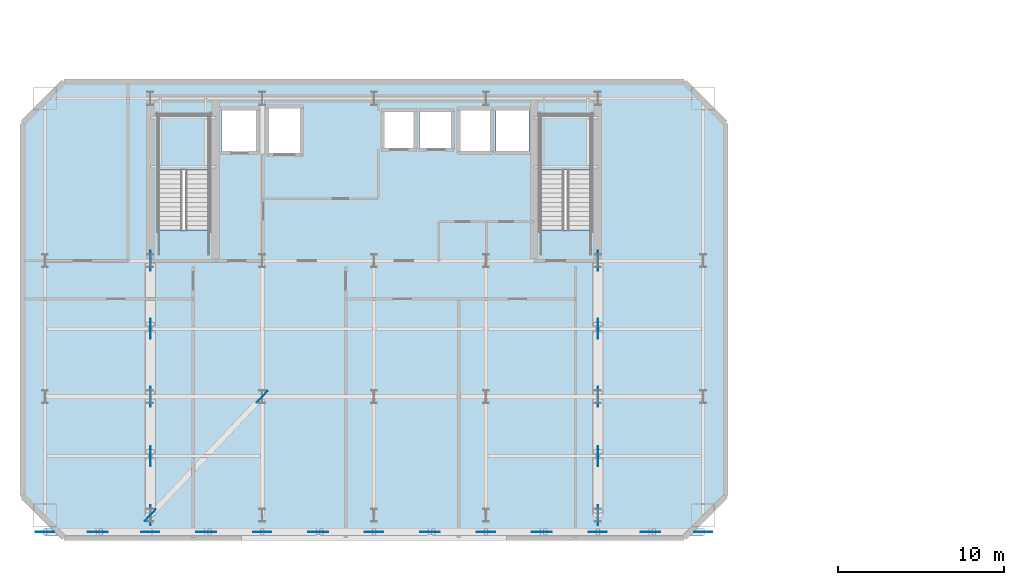
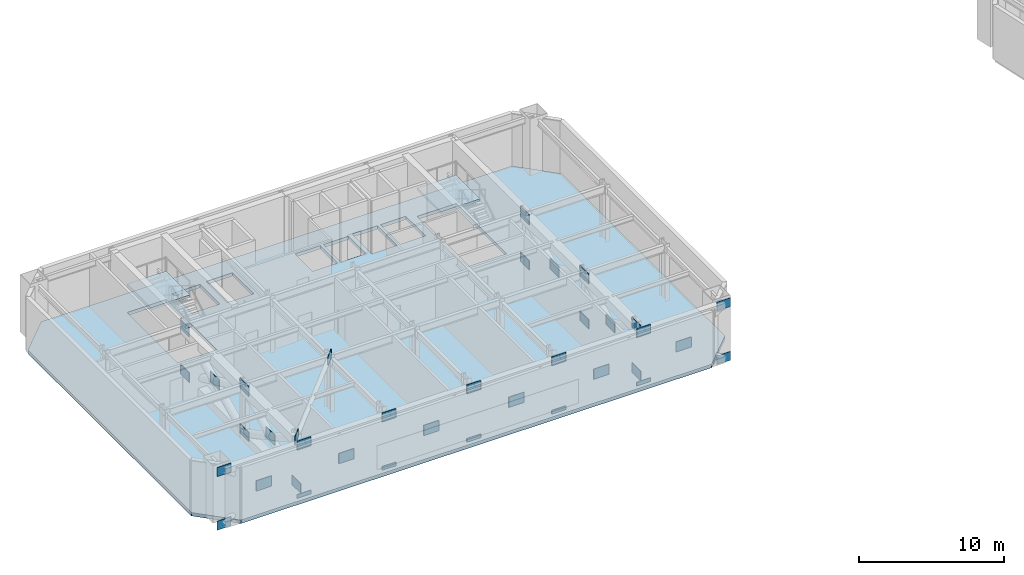
# One storey, part 6 of 15: 37 plates, 3 slabs, 2 elements without a shape of their own.
"""IFC4 building model written with IfcOpenShell, lengths in metres."""

from ifc_helpers import new_model, si_unit, direction, frame, origin, origin_2d, place, context, subcontext, project, spatial, polyline, rectangle, outline, extrude, material, layer, layer_set, type_object, element, aggregate, save


model = new_model("IFC4")

# Units and contexts
model_context = context("Model", 3, precision=1e-05, world=origin(), true_north=direction((0.0, 1.0)))
body_context = subcontext(model_context, "Body", "Model", "MODEL_VIEW")
ifc_project = project(units=[si_unit("LENGTHUNIT", "METRE"), si_unit("AREAUNIT", "SQUARE_METRE"), si_unit("VOLUMEUNIT", "CUBIC_METRE"), si_unit("PLANEANGLEUNIT", "RADIAN"), si_unit("MASSUNIT", "GRAM", prefix="KILO")], contexts=[model_context])

# Site, building, storey
site_placement = place(None, origin())
site = spatial("IfcSite", under=ifc_project, at=site_placement, CompositionType="ELEMENT")
building_placement = place(site_placement, origin())
building = spatial("IfcBuilding", under=site, at=building_placement, Name="Haevon Station Towers", CompositionType="ELEMENT")
storey_placement = place(building_placement, frame((0.0, 0.0, 138.0)))
storey = spatial("IfcBuildingStorey", under=building, at=storey_placement, Name="L37", CompositionType="ELEMENT", Elevation=138.0)

# Plates
ifc_material_1 = material(Name="PL-FLG2", Category="steel")
ifc_layer_1 = layer(ifc_material_1, 0.035888671875)
ifc_layer_set_1 = layer_set([ifc_layer_1], Name="PL-FLG2")
plate_type_1 = type_object("IfcPlateType", Name="PL-FLG2", PredefinedType="USERDEFINED", material=ifc_layer_set_1)
for number, where, z_axis, x_axis, name in (
    (1, (24.0, 22.85009765625, 4.0400390625), (0.0, 0.0, 1.0), (0.686474768632, 0.727153623405, 0.0), "PL-T1TIE-L37-E1"),
    (2, (30.75, 30.0, 4.0400390625), (0.0, 0.0, 1.0), (0.686474768632, 0.727153623405, 0.0), "PL-T1TIE-L37-E2"),
):
    element("IfcPlate", number, at=place(storey_placement, frame(where, z_axis=z_axis, x_axis=x_axis)), inside=storey, type_object=plate_type_1, Name=name, ObjectType="FLANGE_PLATE", PredefinedType="USERDEFINED", context=body_context, shape_type="SweptSolid", body=[
        extrude(rectangle(XDim=0.949951171875, YDim=0.035888671875, at=origin_2d()), origin(), (0.0, 0.0, 1.0), 0.699951171875),
    ])
ifc_material_2 = material(Name="PL-GUS2", Category="steel")
ifc_layer_2 = layer(ifc_material_2, 0.031982421875)
ifc_layer_set_2 = layer_set([ifc_layer_2], Name="PL-GUS2")
plate_type_2 = type_object("IfcPlateType", Name="PL-GUS2", PredefinedType="USERDEFINED", material=ifc_layer_set_2)
for number, where, z_axis, x_axis, name in (
    (3, (24.0, 26.425048828125, 1.849853515625), (0.0, 0.0, 1.0), (0.0, 1.0, 0.0), "PL-T1OUTX-L37-1-1"),
    (4, (24.0, 34.10009765625, 1.849853515625), (0.0, 0.0, 1.0), (0.0, 1.0, 0.0), "PL-T1OUTX-L37-1-2"),
    (5, (24.0, 22.85009765625, -0.074951171875), (0.0, 0.0, 1.0), (0.0, 1.0, 0.0), "PL-T1OUTGUS-L37-1-1B"),
    (6, (24.0, 30.0, -0.074951171875), (0.0, 0.0, 1.0), (0.0, 1.0, 0.0), "PL-T1OUTGUS-L37-1-2B"),
    (7, (24.0, 30.0, 3.77490234375), (0.0, 0.0, 1.0), (0.0, 1.0, 0.0), "PL-T1OUTGUS-L37-1-2T"),
    (8, (24.0, 38.199951171875, -0.074951171875), (0.0, 0.0, 1.0), (0.0, 1.0, 0.0), "PL-T1OUTGUS-L37-1-3B"),
    (9, (24.0, 38.199951171875, 3.77490234375), (0.0, 0.0, 1.0), (0.0, 1.0, 0.0), "PL-T1OUTGUS-L37-1-3T"),
    (10, (51.0, 26.425048828125, 1.849853515625), (0.0, 0.0, 1.0), (0.0, 1.0, 0.0), "PL-T1OUTX-L37-2-1"),
    (11, (51.0, 34.10009765625, 1.849853515625), (0.0, 0.0, 1.0), (0.0, 1.0, 0.0), "PL-T1OUTX-L37-2-2"),
    (12, (51.0, 22.85009765625, -0.074951171875), (0.0, 0.0, 1.0), (0.0, 1.0, 0.0), "PL-T1OUTGUS-L37-2-1B"),
    (13, (51.0, 22.85009765625, 3.77490234375), (0.0, 0.0, 1.0), (0.0, 1.0, 0.0), "PL-T1OUTGUS-L37-2-1T"),
    (14, (51.0, 30.0, -0.074951171875), (0.0, 0.0, 1.0), (0.0, 1.0, 0.0), "PL-T1OUTGUS-L37-2-2B"),
    (15, (51.0, 30.0, 3.77490234375), (0.0, 0.0, 1.0), (0.0, 1.0, 0.0), "PL-T1OUTGUS-L37-2-2T"),
    (16, (51.0, 38.199951171875, -0.074951171875), (0.0, 0.0, 1.0), (0.0, 1.0, 0.0), "PL-T1OUTGUS-L37-2-3B"),
    (17, (51.0, 38.199951171875, 3.77490234375), (0.0, 0.0, 1.0), (0.0, 1.0, 0.0), "PL-T1OUTGUS-L37-2-3T"),
    (18, (20.824951171875, 21.85009765625, 1.75), (0.0, 0.0, 1.0), (1.0, 0.0, 0.0), "PL-T1BLTX-L37-1"),
    (19, (27.375, 21.85009765625, 1.75), (0.0, 0.0, 1.0), (1.0, 0.0, 0.0), "PL-T1BLTX-L37-2"),
    (20, (34.125, 21.85009765625, 1.75), (0.0, 0.0, 1.0), (1.0, 0.0, 0.0), "PL-T1BLTX-L37-3"),
    (21, (40.875, 21.85009765625, 1.75), (0.0, 0.0, 1.0), (1.0, 0.0, 0.0), "PL-T1BLTX-L37-4"),
    (22, (47.625, 21.85009765625, 1.75), (0.0, 0.0, 1.0), (1.0, 0.0, 0.0), "PL-T1BLTX-L37-5"),
    (23, (54.175048828125, 21.85009765625, 1.75), (0.0, 0.0, 1.0), (1.0, 0.0, 0.0), "PL-T1BLTX-L37-6"),
):
    element("IfcPlate", number, at=place(storey_placement, frame(where, z_axis=z_axis, x_axis=x_axis)), inside=storey, type_object=plate_type_2, Name=name, ObjectType="GUSSET_PLATE", PredefinedType="USERDEFINED", context=body_context, shape_type="SweptSolid", body=[
        extrude(rectangle(XDim=1.199951171875, YDim=0.031982421875, at=origin_2d()), origin(), (0.0, 0.0, 1.0), 0.85009765625),
    ])
ifc_material_3 = material(Name="PL-SPL1", Category="steel")
ifc_layer_3 = layer(ifc_material_3, 0.031982421875)
ifc_layer_set_3 = layer_set([ifc_layer_3], Name="PL-SPL1")
plate_type_3 = type_object("IfcPlateType", Name="PL-SPL1", PredefinedType="USERDEFINED", material=ifc_layer_set_3)
for number, where, z_axis, x_axis, name in (
    (24, (17.64990234375, 21.85009765625, -0.455078125), (0.0, 0.0, 1.0), (1.0, 0.0, 0.0), "PL-T1BLTN-L37-1B"),
    (25, (17.64990234375, 21.85009765625, 4.054931640625), (0.0, 0.0, 1.0), (1.0, 0.0, 0.0), "PL-T1BLTN-L37-1T"),
    (26, (24.0, 21.85009765625, -0.455078125), (0.0, 0.0, 1.0), (1.0, 0.0, 0.0), "PL-T1BLTN-L37-2B"),
    (27, (24.0, 21.85009765625, 4.054931640625), (0.0, 0.0, 1.0), (1.0, 0.0, 0.0), "PL-T1BLTN-L37-2T"),
    (28, (30.75, 21.85009765625, -0.455078125), (0.0, 0.0, 1.0), (1.0, 0.0, 0.0), "PL-T1BLTN-L37-3B"),
    (29, (30.75, 21.85009765625, 4.054931640625), (0.0, 0.0, 1.0), (1.0, 0.0, 0.0), "PL-T1BLTN-L37-3T"),
    (30, (37.5, 21.85009765625, -0.455078125), (0.0, 0.0, 1.0), (1.0, 0.0, 0.0), "PL-T1BLTN-L37-4B"),
    (31, (37.5, 21.85009765625, 4.054931640625), (0.0, 0.0, 1.0), (1.0, 0.0, 0.0), "PL-T1BLTN-L37-4T"),
    (32, (44.25, 21.85009765625, -0.455078125), (0.0, 0.0, 1.0), (1.0, 0.0, 0.0), "PL-T1BLTN-L37-5B"),
    (33, (44.25, 21.85009765625, 4.054931640625), (0.0, 0.0, 1.0), (1.0, 0.0, 0.0), "PL-T1BLTN-L37-5T"),
    (34, (51.0, 21.85009765625, -0.455078125), (0.0, 0.0, 1.0), (1.0, 0.0, 0.0), "PL-T1BLTN-L37-6B"),
    (35, (51.0, 21.85009765625, 4.054931640625), (0.0, 0.0, 1.0), (1.0, 0.0, 0.0), "PL-T1BLTN-L37-6T"),
    (36, (57.35009765625, 21.85009765625, -0.455078125), (0.0, 0.0, 1.0), (1.0, 0.0, 0.0), "PL-T1BLTN-L37-7B"),
    (37, (57.35009765625, 21.85009765625, 4.054931640625), (0.0, 0.0, 1.0), (1.0, 0.0, 0.0), "PL-T1BLTN-L37-7T"),
):
    element("IfcPlate", number, at=place(storey_placement, frame(where, z_axis=z_axis, x_axis=x_axis)), inside=storey, type_object=plate_type_3, Name=name, ObjectType="SPLICE_PLATE", PredefinedType="USERDEFINED", context=body_context, shape_type="SweptSolid", body=[
        extrude(rectangle(XDim=1.10009765625, YDim=0.031982421875, at=origin_2d()), origin(), (0.0, 0.0, 1.0), 0.75),
    ])

# Stair, slab
ifc_material_4 = material(Name="Concrete C40/50", Category="concrete")
stair_type = type_object("IfcStairType", Name="STR-DL1450", PredefinedType="USERDEFINED", material=ifc_material_4)
stair_1_placement = place(storey_placement, origin())
stair_1 = element("IfcStair", 38, at=stair_1_placement, inside=storey, type_object=stair_type, Name="L37 Escape Stair ST1", ObjectType="TWO_RETURN_STAIR", PredefinedType="USERDEFINED")
ifc_layer_4 = layer(ifc_material_4, 0.199951171875)
ifc_layer_set_4 = layer_set([ifc_layer_4], Name="Concrete C40/50")
slab_type_1 = type_object("IfcSlabType", Name="SL-LND200", PredefinedType="LANDING", material=ifc_layer_set_4)
slab_1_placement = place(storey_placement, frame((0.0, 0.0, 2.199951171875)))
slab_1 = element("IfcSlab", 39, at=slab_1_placement, type_object=slab_type_1, Name="L37 ST1 Half Landing 1", PredefinedType="LANDING", context=body_context, shape_type="SweptSolid", body=[
    extrude(outline(polyline([(27.580078125, 43.68408203125), (27.580078125, 47.0), (24.47998046875, 47.0), (24.47998046875, 43.68408203125), (27.580078125, 43.68408203125)])), origin(), (0.0, 0.0, 1.0), 0.199951171875),
])
aggregate(stair_1, [slab_1])

stair_2_placement = place(storey_placement, origin())
stair_2 = element("IfcStair", 40, at=stair_2_placement, inside=storey, type_object=stair_type, Name="L37 Escape Stair ST2", ObjectType="TWO_RETURN_STAIR", PredefinedType="USERDEFINED")
slab_2_placement = place(storey_placement, frame((0.0, 0.0, 2.199951171875)))
slab_2 = element("IfcSlab", 41, at=slab_2_placement, type_object=slab_type_1, Name="L37 ST2 Half Landing 1", PredefinedType="LANDING", context=body_context, shape_type="SweptSolid", body=[
    extrude(outline(polyline([(50.6201171875, 43.68408203125), (50.6201171875, 47.0), (47.52001953125, 47.0), (47.52001953125, 43.68408203125), (50.6201171875, 43.68408203125)])), origin(), (0.0, 0.0, 1.0), 0.199951171875),
])
aggregate(stair_2, [slab_2])

# Slab
ifc_layer_5 = layer(ifc_material_4, 0.280029296875)
ifc_layer_set_5 = layer_set([ifc_layer_5], Name="Concrete C40/50")
slab_type_2 = type_object("IfcSlabType", Name="SL-REF280", PredefinedType="FLOOR", material=ifc_layer_set_5)
slab_3_placement = place(storey_placement, frame((0.0, 0.0, -0.280029296875)))
element("IfcSlab", 42, at=slab_3_placement, inside=storey, type_object=slab_type_2, Name="SL-T1-L37", PredefinedType="FLOOR", context=body_context, shape_type="SweptSolid", body=[
    extrude(outline(polyline([(18.800048828125, 21.5), (56.199951171875, 21.5), (58.699951171875, 24.0), (58.699951171875, 46.5), (56.199951171875, 49.0), (18.800048828125, 49.0), (16.300048828125, 46.5), (16.300048828125, 24.0), (18.800048828125, 21.5)]), holes=[polyline([(27.580078125, 40.055908203125), (27.580078125, 47.0), (24.47998046875, 47.0), (24.47998046875, 40.055908203125), (27.580078125, 40.055908203125)]), polyline([(50.6201171875, 40.055908203125), (50.6201171875, 47.0), (47.52001953125, 47.0), (47.52001953125, 40.055908203125), (50.6201171875, 40.055908203125)]), polyline([(28.300048828125, 44.699951171875), (30.5, 44.699951171875), (30.5, 47.39990234375), (28.300048828125, 47.39990234375), (28.300048828125, 44.699951171875)]), polyline([(31.050048828125, 44.60009765625), (33.14990234375, 44.60009765625), (33.14990234375, 47.5), (31.050048828125, 47.5), (31.050048828125, 44.60009765625)]), polyline([(38.0, 44.89990234375), (40.0, 44.89990234375), (40.0, 47.300048828125), (38.0, 47.300048828125), (38.0, 44.89990234375)]), polyline([(40.25, 44.89990234375), (42.25, 44.89990234375), (42.25, 47.300048828125), (40.25, 47.300048828125), (40.25, 44.89990234375)]), polyline([(42.60009765625, 44.699951171875), (44.60009765625, 44.699951171875), (44.60009765625, 47.39990234375), (42.60009765625, 47.39990234375), (42.60009765625, 44.699951171875)]), polyline([(44.85009765625, 44.699951171875), (46.85009765625, 44.699951171875), (46.85009765625, 47.39990234375), (44.85009765625, 47.39990234375), (44.85009765625, 44.699951171875)])]), origin(), (0.0, 0.0, 1.0), 0.280029296875),
])

save(model, "model.ifc")
